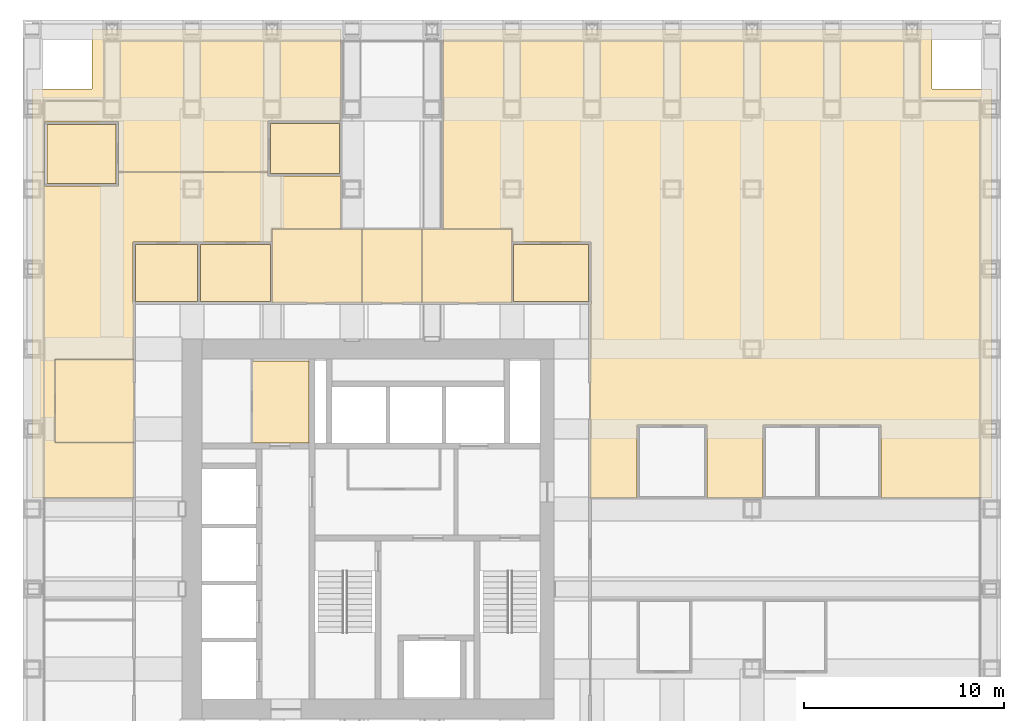
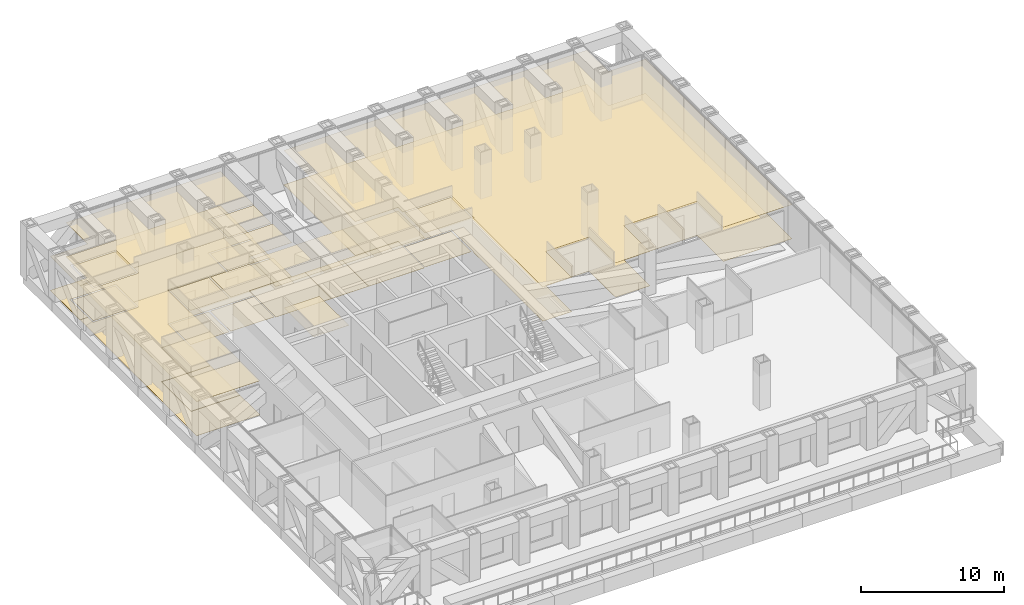
# One storey, part 17 of 18: 25 coverings.
"""IFC4 building model written with IfcOpenShell, lengths in metres."""

from ifc_helpers import new_model, si_unit, direction, frame, origin, place, context, subcontext, project, spatial, polyline, outline, extrude, material, layer, layer_set, type_object, element, save


model = new_model("IFC4")

# Units and contexts
model_context = context("Model", 3, precision=1e-05, world=origin(), true_north=direction((0.0, 1.0)))
body_context = subcontext(model_context, "Body", "Model", "MODEL_VIEW")
ifc_project = project(units=[si_unit("LENGTHUNIT", "METRE"), si_unit("AREAUNIT", "SQUARE_METRE"), si_unit("VOLUMEUNIT", "CUBIC_METRE"), si_unit("PLANEANGLEUNIT", "RADIAN"), si_unit("MASSUNIT", "GRAM", prefix="KILO")], contexts=[model_context])

# Site, building, storey
site_placement = place(None, origin())
site = spatial("IfcSite", under=ifc_project, at=site_placement, CompositionType="ELEMENT")
building_placement = place(site_placement, origin())
building = spatial("IfcBuilding", under=site, at=building_placement, Name="Rimbunsela Tower", CompositionType="ELEMENT")
storey_placement = place(building_placement, frame((0.0, 0.0, 105.39990234375)))
storey = spatial("IfcBuildingStorey", under=building, at=storey_placement, Name="L25", CompositionType="ELEMENT", Elevation=105.39990234375)

# Coverings
ifc_material_1 = material(Name="Nylon carpet tile", Category="textile")
ifc_layer_1 = layer(ifc_material_1, 0.010009765625)
ifc_layer_set_1 = layer_set([ifc_layer_1], Name="Carpet tile 10")
covering_type_1 = type_object("IfcCoveringType", Name="Carpet tile 10", PredefinedType="FLOORING", material=ifc_layer_set_1)
covering_1_placement = place(storey_placement, origin())
element("IfcCovering", 1, at=covering_1_placement, inside=storey, type_object=covering_type_1, Name="Floor finish Open office", PredefinedType="FLOORING", context=body_context, shape_type="SweptSolid", body=[
    extrude(outline(polyline([(13.0, 49.0), (13.0, 52.0), (15.10009765625, 52.0), (25.448974609375, 52.0), (25.448974609375, 47.39990234375), (21.800048828125, 47.39990234375), (21.800048828125, 44.85009765625), (14.330078125, 44.85009765625), (14.330078125, 47.35009765625), (10.6298828125, 47.35009765625), (10.6298828125, 44.85009765625), (10.0, 44.85009765625), (10.0, 49.0), (13.0, 49.0)])), origin(), (0.0, 0.0, 1.0), 0.010009765625),
])
covering_2_placement = place(storey_placement, origin())
element("IfcCovering", 2, at=covering_2_placement, inside=storey, type_object=covering_type_1, Name="Floor finish Open office", PredefinedType="FLOORING", context=body_context, shape_type="SweptSolid", body=[
    extrude(outline(polyline([(21.800048828125, 44.85009765625), (21.800048828125, 44.64990234375), (25.448974609375, 44.64990234375), (25.448974609375, 42.0), (22.0, 42.0), (22.0, 41.35009765625), (18.39990234375, 41.35009765625), (18.300048828125, 41.35009765625), (15.10009765625, 41.35009765625), (15.050048828125, 41.35009765625), (15.050048828125, 38.25), (15.10009765625, 38.25), (15.10009765625, 35.47607421875), (11.14990234375, 35.47607421875), (11.14990234375, 31.325927734375), (15.10009765625, 31.325927734375), (15.10009765625, 28.551025390625), (10.0, 28.551025390625), (10.0, 44.85009765625), (10.6298828125, 44.85009765625), (10.6298828125, 44.14990234375), (14.330078125, 44.14990234375), (14.330078125, 44.85009765625), (21.800048828125, 44.85009765625)])), origin(), (0.0, 0.0, 1.0), 0.010009765625),
])
covering_3_placement = place(storey_placement, origin())
element("IfcCovering", 3, at=covering_3_placement, inside=storey, type_object=covering_type_1, Name="Floor finish Open office", PredefinedType="FLOORING", context=body_context, shape_type="SweptSolid", body=[
    extrude(outline(polyline([(49.300048828125, 32.199951171875), (49.25, 32.199951171875), (46.550048828125, 32.199951171875), (46.550048828125, 28.551025390625), (43.75, 28.551025390625), (43.75, 32.199951171875), (40.25, 32.199951171875), (40.25, 28.551025390625), (37.89990234375, 28.551025390625), (37.89990234375, 38.25), (37.949951171875, 38.25), (37.949951171875, 41.35009765625), (37.89990234375, 41.35009765625), (34.0, 41.35009765625), (34.0, 42.0), (30.551025390625, 42.0), (30.551025390625, 52.0), (37.89990234375, 52.0), (55.0, 52.0), (55.0, 49.0), (58.0, 49.0), (58.0, 28.551025390625), (52.449951171875, 28.551025390625), (52.449951171875, 32.199951171875), (49.300048828125, 32.199951171875)])), origin(), (0.0, 0.0, 1.0), 0.010009765625),
])
covering_4_placement = place(storey_placement, origin())
element("IfcCovering", 4, at=covering_4_placement, inside=storey, type_object=covering_type_1, Name="Floor finish Reception", PredefinedType="FLOORING", context=body_context, shape_type="SweptSolid", body=[
    extrude(outline(polyline([(15.10009765625, 31.325927734375), (15.10009765625, 35.47607421875), (11.14990234375, 35.47607421875), (11.14990234375, 31.325927734375), (15.10009765625, 31.325927734375)])), origin(), (0.0, 0.0, 1.0), 0.010009765625),
])
covering_5_placement = place(storey_placement, origin())
element("IfcCovering", 5, at=covering_5_placement, inside=storey, type_object=covering_type_1, Name="Floor finish Interview room", PredefinedType="FLOORING", context=body_context, shape_type="SweptSolid", body=[
    extrude(outline(polyline([(18.27490234375, 38.375), (18.27490234375, 41.22509765625), (15.175048828125, 41.22509765625), (15.175048828125, 38.375), (18.27490234375, 38.375)])), origin(), (0.0, 0.0, 1.0), 0.010009765625),
])
covering_6_placement = place(storey_placement, origin())
element("IfcCovering", 6, at=covering_6_placement, inside=storey, type_object=covering_type_1, Name="Floor finish Pantry", PredefinedType="FLOORING", context=body_context, shape_type="SweptSolid", body=[
    extrude(outline(polyline([(21.925048828125, 38.375), (21.925048828125, 41.22509765625), (18.425048828125, 41.22509765625), (18.425048828125, 38.375), (21.925048828125, 38.375)])), origin(), (0.0, 0.0, 1.0), 0.010009765625),
])
covering_7_placement = place(storey_placement, origin())
element("IfcCovering", 7, at=covering_7_placement, inside=storey, type_object=covering_type_1, Name="Floor finish Interview room", PredefinedType="FLOORING", context=body_context, shape_type="SweptSolid", body=[
    extrude(outline(polyline([(37.824951171875, 38.375), (37.824951171875, 41.22509765625), (34.074951171875, 41.22509765625), (34.074951171875, 38.375), (37.824951171875, 38.375)])), origin(), (0.0, 0.0, 1.0), 0.010009765625),
])
covering_8_placement = place(storey_placement, origin())
element("IfcCovering", 8, at=covering_8_placement, inside=storey, type_object=covering_type_1, Name="Floor finish Print and copy room", PredefinedType="FLOORING", context=body_context, shape_type="SweptSolid", body=[
    extrude(outline(polyline([(25.375, 44.77490234375), (25.375, 47.27490234375), (21.925048828125, 47.27490234375), (21.925048828125, 44.77490234375), (25.375, 44.77490234375)])), origin(), (0.0, 0.0, 1.0), 0.010009765625),
])
covering_9_placement = place(storey_placement, origin())
element("IfcCovering", 9, at=covering_9_placement, inside=storey, type_object=covering_type_1, Name="Floor finish Office", PredefinedType="FLOORING", context=body_context, shape_type="SweptSolid", body=[
    extrude(outline(polyline([(14.205078125, 44.27490234375), (14.205078125, 47.22509765625), (10.7548828125, 47.22509765625), (10.7548828125, 44.27490234375), (14.205078125, 44.27490234375)])), origin(), (0.0, 0.0, 1.0), 0.010009765625),
])
ifc_material_2 = material(Name="Mineral fibre ceiling tile", Category="gypsum")
ifc_layer_2 = layer(ifc_material_2, 0.02001953125)
ifc_layer_set_2 = layer_set([ifc_layer_2], Name="Ceiling 600 grid")
covering_type_2 = type_object("IfcCoveringType", Name="Ceiling 600 grid", PredefinedType="CEILING", material=ifc_layer_set_2)
covering_10_placement = place(storey_placement, frame((0.0, 0.0, 2.900146484375)))
element("IfcCovering", 10, at=covering_10_placement, inside=storey, type_object=covering_type_2, Name="Ceiling IT room", PredefinedType="CEILING", context=body_context, shape_type="SweptSolid", body=[
    extrude(outline(polyline([(23.85009765625, 31.300048828125), (23.85009765625, 35.39990234375), (21.0, 35.39990234375), (21.0, 31.300048828125), (23.85009765625, 31.300048828125)])), origin(), (0.0, 0.0, 1.0), 0.02001953125),
])
covering_11_placement = place(storey_placement, frame((0.0, 0.0, 2.900146484375)))
element("IfcCovering", 11, at=covering_11_placement, inside=storey, type_object=covering_type_2, Name="Ceiling Open office", PredefinedType="CEILING", context=body_context, shape_type="SweptSolid", body=[
    extrude(outline(polyline([(13.0, 49.0), (13.0, 52.0), (15.10009765625, 52.0), (25.448974609375, 52.0), (25.448974609375, 47.39990234375), (21.800048828125, 47.39990234375), (21.800048828125, 44.85009765625), (14.330078125, 44.85009765625), (14.330078125, 47.35009765625), (10.6298828125, 47.35009765625), (10.6298828125, 44.85009765625), (10.0, 44.85009765625), (10.0, 49.0), (13.0, 49.0)])), origin(), (0.0, 0.0, 1.0), 0.02001953125),
])
covering_12_placement = place(storey_placement, frame((0.0, 0.0, 2.900146484375)))
element("IfcCovering", 12, at=covering_12_placement, inside=storey, type_object=covering_type_2, Name="Ceiling Open office", PredefinedType="CEILING", context=body_context, shape_type="SweptSolid", body=[
    extrude(outline(polyline([(21.800048828125, 44.85009765625), (21.800048828125, 44.64990234375), (25.448974609375, 44.64990234375), (25.448974609375, 42.0), (22.0, 42.0), (22.0, 41.35009765625), (18.39990234375, 41.35009765625), (18.300048828125, 41.35009765625), (15.10009765625, 41.35009765625), (15.050048828125, 41.35009765625), (15.050048828125, 38.25), (15.10009765625, 38.25), (15.10009765625, 35.47607421875), (11.14990234375, 35.47607421875), (11.14990234375, 31.325927734375), (15.10009765625, 31.325927734375), (15.10009765625, 28.551025390625), (10.0, 28.551025390625), (10.0, 44.85009765625), (10.6298828125, 44.85009765625), (10.6298828125, 44.14990234375), (14.330078125, 44.14990234375), (14.330078125, 44.85009765625), (21.800048828125, 44.85009765625)])), origin(), (0.0, 0.0, 1.0), 0.02001953125),
])
covering_13_placement = place(storey_placement, frame((0.0, 0.0, 2.900146484375)))
element("IfcCovering", 13, at=covering_13_placement, inside=storey, type_object=covering_type_2, Name="Ceiling Open office", PredefinedType="CEILING", context=body_context, shape_type="SweptSolid", body=[
    extrude(outline(polyline([(49.300048828125, 32.199951171875), (49.25, 32.199951171875), (46.550048828125, 32.199951171875), (46.550048828125, 28.551025390625), (43.75, 28.551025390625), (43.75, 32.199951171875), (40.25, 32.199951171875), (40.25, 28.551025390625), (37.89990234375, 28.551025390625), (37.89990234375, 38.25), (37.949951171875, 38.25), (37.949951171875, 41.35009765625), (37.89990234375, 41.35009765625), (34.0, 41.35009765625), (34.0, 42.0), (30.551025390625, 42.0), (30.551025390625, 52.0), (37.89990234375, 52.0), (55.0, 52.0), (55.0, 49.0), (58.0, 49.0), (58.0, 28.551025390625), (52.449951171875, 28.551025390625), (52.449951171875, 32.199951171875), (49.300048828125, 32.199951171875)])), origin(), (0.0, 0.0, 1.0), 0.02001953125),
])
covering_14_placement = place(storey_placement, frame((0.0, 0.0, 2.900146484375)))
element("IfcCovering", 14, at=covering_14_placement, inside=storey, type_object=covering_type_2, Name="Ceiling Reception", PredefinedType="CEILING", context=body_context, shape_type="SweptSolid", body=[
    extrude(outline(polyline([(15.10009765625, 31.325927734375), (15.10009765625, 35.47607421875), (11.14990234375, 35.47607421875), (11.14990234375, 31.325927734375), (15.10009765625, 31.325927734375)])), origin(), (0.0, 0.0, 1.0), 0.02001953125),
])
covering_15_placement = place(storey_placement, frame((0.0, 0.0, 2.900146484375)))
element("IfcCovering", 15, at=covering_15_placement, inside=storey, type_object=covering_type_2, Name="Ceiling Interview room", PredefinedType="CEILING", context=body_context, shape_type="SweptSolid", body=[
    extrude(outline(polyline([(18.27490234375, 38.375), (18.27490234375, 41.22509765625), (15.175048828125, 41.22509765625), (15.175048828125, 38.375), (18.27490234375, 38.375)])), origin(), (0.0, 0.0, 1.0), 0.02001953125),
])
covering_16_placement = place(storey_placement, frame((0.0, 0.0, 2.900146484375)))
element("IfcCovering", 16, at=covering_16_placement, inside=storey, type_object=covering_type_2, Name="Ceiling Pantry", PredefinedType="CEILING", context=body_context, shape_type="SweptSolid", body=[
    extrude(outline(polyline([(21.925048828125, 38.375), (21.925048828125, 41.22509765625), (18.425048828125, 41.22509765625), (18.425048828125, 38.375), (21.925048828125, 38.375)])), origin(), (0.0, 0.0, 1.0), 0.02001953125),
])
covering_17_placement = place(storey_placement, frame((0.0, 0.0, 2.900146484375)))
element("IfcCovering", 17, at=covering_17_placement, inside=storey, type_object=covering_type_2, Name="Ceiling Interview room", PredefinedType="CEILING", context=body_context, shape_type="SweptSolid", body=[
    extrude(outline(polyline([(37.824951171875, 38.375), (37.824951171875, 41.22509765625), (34.074951171875, 41.22509765625), (34.074951171875, 38.375), (37.824951171875, 38.375)])), origin(), (0.0, 0.0, 1.0), 0.02001953125),
])
covering_18_placement = place(storey_placement, frame((0.0, 0.0, 2.900146484375)))
element("IfcCovering", 18, at=covering_18_placement, inside=storey, type_object=covering_type_2, Name="Ceiling Print and copy room", PredefinedType="CEILING", context=body_context, shape_type="SweptSolid", body=[
    extrude(outline(polyline([(25.375, 44.77490234375), (25.375, 47.27490234375), (21.925048828125, 47.27490234375), (21.925048828125, 44.77490234375), (25.375, 44.77490234375)])), origin(), (0.0, 0.0, 1.0), 0.02001953125),
])
covering_19_placement = place(storey_placement, frame((0.0, 0.0, 2.900146484375)))
element("IfcCovering", 19, at=covering_19_placement, inside=storey, type_object=covering_type_2, Name="Ceiling Office", PredefinedType="CEILING", context=body_context, shape_type="SweptSolid", body=[
    extrude(outline(polyline([(14.205078125, 44.27490234375), (14.205078125, 47.22509765625), (10.7548828125, 47.22509765625), (10.7548828125, 44.27490234375), (14.205078125, 44.27490234375)])), origin(), (0.0, 0.0, 1.0), 0.02001953125),
])
ifc_material_3 = material(Name="Moisture-resistant plasterboard ceiling", Category="gypsum")
ifc_layer_3 = layer(ifc_material_3, 0.012451171875)
ifc_layer_set_3 = layer_set([ifc_layer_3], Name="Ceiling moisture-resistant board")
covering_type_3 = type_object("IfcCoveringType", Name="Ceiling moisture-resistant board", PredefinedType="CEILING", material=ifc_layer_set_3)
covering_20_placement = place(storey_placement, frame((0.0, 0.0, 2.60009765625)))
element("IfcCovering", 20, at=covering_20_placement, inside=storey, type_object=covering_type_3, Name="Ceiling Female WC", PredefinedType="CEILING", context=body_context, shape_type="SweptSolid", body=[
    extrude(outline(polyline([(26.5, 38.300048828125), (26.5, 42.0), (22.0, 42.0), (22.0, 38.300048828125), (26.5, 38.300048828125)])), origin(), (0.0, 0.0, 1.0), 0.02001953125),
])
covering_21_placement = place(storey_placement, frame((0.0, 0.0, 2.60009765625)))
element("IfcCovering", 21, at=covering_21_placement, inside=storey, type_object=covering_type_3, Name="Ceiling Accessible WC", PredefinedType="CEILING", context=body_context, shape_type="SweptSolid", body=[
    extrude(outline(polyline([(29.5, 38.300048828125), (29.5, 42.0), (26.5, 42.0), (26.5, 38.300048828125), (29.5, 38.300048828125)])), origin(), (0.0, 0.0, 1.0), 0.02001953125),
])
covering_22_placement = place(storey_placement, frame((0.0, 0.0, 2.60009765625)))
element("IfcCovering", 22, at=covering_22_placement, inside=storey, type_object=covering_type_3, Name="Ceiling Male WC", PredefinedType="CEILING", context=body_context, shape_type="SweptSolid", body=[
    extrude(outline(polyline([(34.0, 38.300048828125), (34.0, 42.0), (29.5, 42.0), (29.5, 38.300048828125), (34.0, 38.300048828125)])), origin(), (0.0, 0.0, 1.0), 0.02001953125),
])
ifc_material_4 = material(Name="Porcelain floor tile in adhesive bed", Category="ceramic")
ifc_layer_4 = layer(ifc_material_4, 0.02001953125)
ifc_layer_set_4 = layer_set([ifc_layer_4], Name="Porcelain tile 20")
covering_type_4 = type_object("IfcCoveringType", Name="Porcelain tile 20", PredefinedType="FLOORING", material=ifc_layer_set_4)
covering_23_placement = place(storey_placement, origin())
element("IfcCovering", 23, at=covering_23_placement, inside=storey, type_object=covering_type_4, Name="Floor finish Female WC", PredefinedType="FLOORING", context=body_context, shape_type="SweptSolid", body=[
    extrude(outline(polyline([(26.5, 38.300048828125), (26.5, 42.0), (22.0, 42.0), (22.0, 38.300048828125), (26.5, 38.300048828125)])), origin(), (0.0, 0.0, 1.0), 0.02001953125),
])
covering_24_placement = place(storey_placement, origin())
element("IfcCovering", 24, at=covering_24_placement, inside=storey, type_object=covering_type_4, Name="Floor finish Accessible WC", PredefinedType="FLOORING", context=body_context, shape_type="SweptSolid", body=[
    extrude(outline(polyline([(29.5, 38.300048828125), (29.5, 42.0), (26.5, 42.0), (26.5, 38.300048828125), (29.5, 38.300048828125)])), origin(), (0.0, 0.0, 1.0), 0.02001953125),
])
covering_25_placement = place(storey_placement, origin())
element("IfcCovering", 25, at=covering_25_placement, inside=storey, type_object=covering_type_4, Name="Floor finish Male WC", PredefinedType="FLOORING", context=body_context, shape_type="SweptSolid", body=[
    extrude(outline(polyline([(34.0, 38.300048828125), (34.0, 42.0), (29.5, 42.0), (29.5, 38.300048828125), (34.0, 38.300048828125)])), origin(), (0.0, 0.0, 1.0), 0.02001953125),
])

save(model, "model.ifc")
